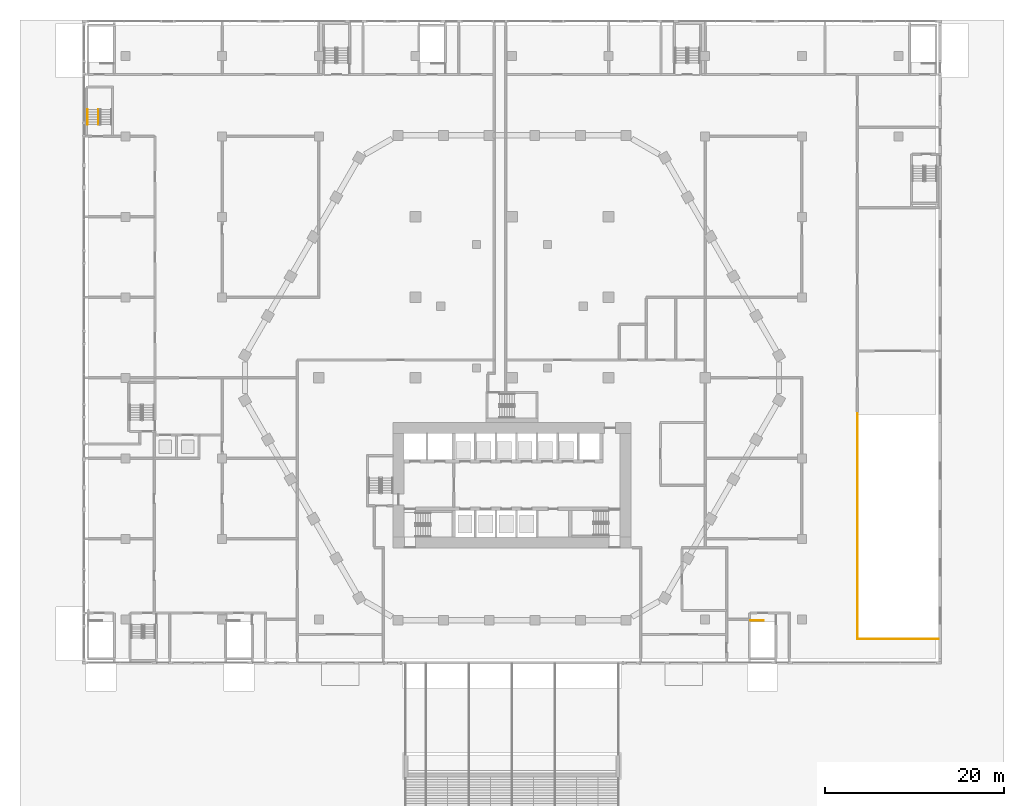
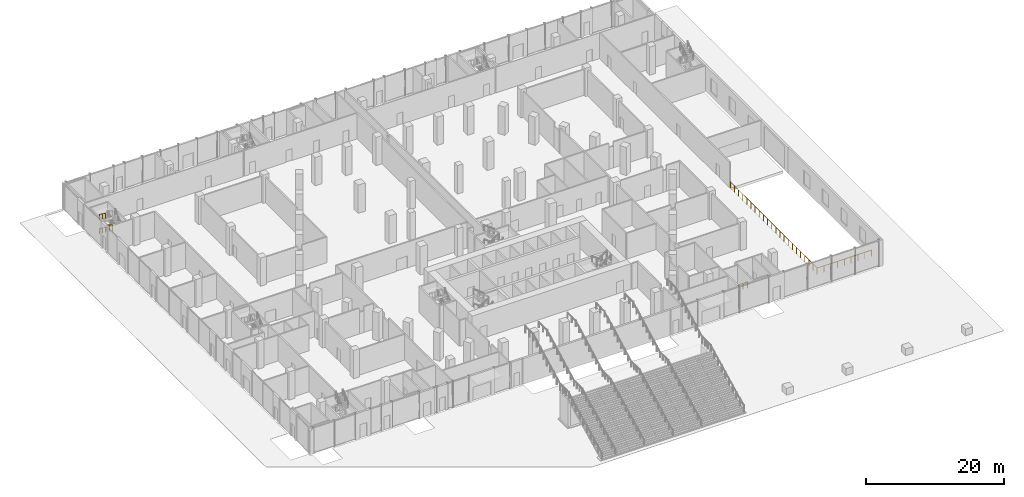
# One storey, part 52 of 57: 5 railings.
"""IFC4 building model written with IfcOpenShell, lengths in metres."""

from ifc_helpers import new_model, si_unit, direction, frame, origin, origin_2d, place, context, subcontext, project, spatial, rectangle, extrude, material, type_object, element, save


model = new_model("IFC4")

# Units and contexts
model_context = context("Model", 3, precision=1e-05, world=origin(), true_north=direction((0.0, 1.0)))
body_context = subcontext(model_context, "Body", "Model", "MODEL_VIEW")
ifc_project = project(units=[si_unit("LENGTHUNIT", "METRE"), si_unit("AREAUNIT", "SQUARE_METRE"), si_unit("VOLUMEUNIT", "CUBIC_METRE"), si_unit("PLANEANGLEUNIT", "RADIAN"), si_unit("MASSUNIT", "GRAM", prefix="KILO")], contexts=[model_context])

# Site, building, storey
site_placement = place(None, origin())
site = spatial("IfcSite", under=ifc_project, at=site_placement, CompositionType="ELEMENT")
building_placement = place(site_placement, origin())
building = spatial("IfcBuilding", under=site, at=building_placement, Name="Beryl Residences", CompositionType="ELEMENT")
storey_placement = place(building_placement, origin())
storey = spatial("IfcBuildingStorey", under=building, at=storey_placement, Name="L00", CompositionType="ELEMENT", Elevation=0.0)

# Railings
ifc_material_1 = material(Name="Stainless steel balustrade with glass infill", Category="steel")
railing_type_1 = type_object("IfcRailingType", Name="EG1 edge guard 1100 mm", PredefinedType="GUARDRAIL", material=ifc_material_1)
railing_1_placement = place(storey_placement, frame((38.60009765625, -4.0, 0.0)))
element("IfcRailing", 1, at=railing_1_placement, inside=storey, type_object=railing_type_1, Name="L00 guard 13", PredefinedType="GUARDRAIL", context=body_context, shape_type="SweptSolid", body=[
    extrude(rectangle(XDim=0.048095703125, YDim=0.048095703125, at=origin_2d()), frame((0.0, 0.0, 1.076171875), z_axis=(0.0, -1.0, 0.0), x_axis=(1.0, 0.0, 0.0)), (0.0, 0.0, 1.0), 25.199951171875),
    extrude(rectangle(XDim=0.048095703125, YDim=0.048095703125, at=origin_2d()), frame((0.0, -25.199951171875, 1.076171875), z_axis=(1.0, 0.0, 0.0), x_axis=(0.0, 1.0, 0.0)), (0.0, 0.0, 1.0), 9.099853515625),
    extrude(rectangle(XDim=0.0419921875, YDim=0.0419921875, at=origin_2d()), origin(), (0.0, 0.0, 1.0), 1.052001953125),
    extrude(rectangle(XDim=0.0419921875, YDim=0.0419921875, at=origin_2d()), frame((0.0, -1.199951171875, 0.0)), (0.0, 0.0, 1.0), 1.052001953125),
    extrude(rectangle(XDim=0.0419921875, YDim=0.0419921875, at=origin_2d()), frame((0.0, -2.39990234375, 0.0)), (0.0, 0.0, 1.0), 1.052001953125),
    extrude(rectangle(XDim=0.0419921875, YDim=0.0419921875, at=origin_2d()), frame((0.0, -3.60009765625, 0.0)), (0.0, 0.0, 1.0), 1.052001953125),
    extrude(rectangle(XDim=0.0419921875, YDim=0.0419921875, at=origin_2d()), frame((0.0, -4.800048828125, 0.0)), (0.0, 0.0, 1.0), 1.052001953125),
    extrude(rectangle(XDim=0.0419921875, YDim=0.0419921875, at=origin_2d()), frame((0.0, -6.0, 0.0)), (0.0, 0.0, 1.0), 1.052001953125),
    extrude(rectangle(XDim=0.0419921875, YDim=0.0419921875, at=origin_2d()), frame((0.0, -7.199951171875, 0.0)), (0.0, 0.0, 1.0), 1.052001953125),
    extrude(rectangle(XDim=0.0419921875, YDim=0.0419921875, at=origin_2d()), frame((0.0, -8.39990234375, 0.0)), (0.0, 0.0, 1.0), 1.052001953125),
    extrude(rectangle(XDim=0.0419921875, YDim=0.0419921875, at=origin_2d()), frame((0.0, -9.60009765625, 0.0)), (0.0, 0.0, 1.0), 1.052001953125),
    extrude(rectangle(XDim=0.0419921875, YDim=0.0419921875, at=origin_2d()), frame((0.0, -10.800048828125, 0.0)), (0.0, 0.0, 1.0), 1.052001953125),
    extrude(rectangle(XDim=0.0419921875, YDim=0.0419921875, at=origin_2d()), frame((0.0, -12.0, 0.0)), (0.0, 0.0, 1.0), 1.052001953125),
    extrude(rectangle(XDim=0.0419921875, YDim=0.0419921875, at=origin_2d()), frame((0.0, -13.199951171875, 0.0)), (0.0, 0.0, 1.0), 1.052001953125),
    extrude(rectangle(XDim=0.0419921875, YDim=0.0419921875, at=origin_2d()), frame((0.0, -14.39990234375, 0.0)), (0.0, 0.0, 1.0), 1.052001953125),
    extrude(rectangle(XDim=0.0419921875, YDim=0.0419921875, at=origin_2d()), frame((0.0, -15.599853515625, 0.0)), (0.0, 0.0, 1.0), 1.052001953125),
    extrude(rectangle(XDim=0.0419921875, YDim=0.0419921875, at=origin_2d()), frame((0.0, -16.800048828125, 0.0)), (0.0, 0.0, 1.0), 1.052001953125),
    extrude(rectangle(XDim=0.0419921875, YDim=0.0419921875, at=origin_2d()), frame((0.0, -18.0, 0.0)), (0.0, 0.0, 1.0), 1.052001953125),
    extrude(rectangle(XDim=0.0419921875, YDim=0.0419921875, at=origin_2d()), frame((0.0, -19.199951171875, 0.0)), (0.0, 0.0, 1.0), 1.052001953125),
    extrude(rectangle(XDim=0.0419921875, YDim=0.0419921875, at=origin_2d()), frame((0.0, -20.39990234375, 0.0)), (0.0, 0.0, 1.0), 1.052001953125),
    extrude(rectangle(XDim=0.0419921875, YDim=0.0419921875, at=origin_2d()), frame((0.0, -21.599853515625, 0.0)), (0.0, 0.0, 1.0), 1.052001953125),
    extrude(rectangle(XDim=0.0419921875, YDim=0.0419921875, at=origin_2d()), frame((0.0, -22.800048828125, 0.0)), (0.0, 0.0, 1.0), 1.052001953125),
    extrude(rectangle(XDim=0.0419921875, YDim=0.0419921875, at=origin_2d()), frame((0.0, -24.0, 0.0)), (0.0, 0.0, 1.0), 1.052001953125),
    extrude(rectangle(XDim=0.0419921875, YDim=0.0419921875, at=origin_2d()), frame((0.0, -25.199951171875, 0.0)), (0.0, 0.0, 1.0), 1.052001953125),
    extrude(rectangle(XDim=0.0419921875, YDim=0.0419921875, at=origin_2d()), frame((1.137451171875, -25.199951171875, 0.0)), (0.0, 0.0, 1.0), 1.052001953125),
    extrude(rectangle(XDim=0.0419921875, YDim=0.0419921875, at=origin_2d()), frame((2.27490234375, -25.199951171875, 0.0)), (0.0, 0.0, 1.0), 1.052001953125),
    extrude(rectangle(XDim=0.0419921875, YDim=0.0419921875, at=origin_2d()), frame((3.412353515625, -25.199951171875, 0.0)), (0.0, 0.0, 1.0), 1.052001953125),
    extrude(rectangle(XDim=0.0419921875, YDim=0.0419921875, at=origin_2d()), frame((4.5498046875, -25.199951171875, 0.0)), (0.0, 0.0, 1.0), 1.052001953125),
    extrude(rectangle(XDim=0.0419921875, YDim=0.0419921875, at=origin_2d()), frame((5.6875, -25.199951171875, 0.0)), (0.0, 0.0, 1.0), 1.052001953125),
    extrude(rectangle(XDim=0.0419921875, YDim=0.0419921875, at=origin_2d()), frame((6.824951171875, -25.199951171875, 0.0)), (0.0, 0.0, 1.0), 1.052001953125),
    extrude(rectangle(XDim=0.0419921875, YDim=0.0419921875, at=origin_2d()), frame((7.96240234375, -25.199951171875, 0.0)), (0.0, 0.0, 1.0), 1.052001953125),
    extrude(rectangle(XDim=0.0419921875, YDim=0.0419921875, at=origin_2d()), frame((9.099853515625, -25.199951171875, 0.0)), (0.0, 0.0, 1.0), 1.052001953125),
])
ifc_material_2 = material(Name="Stainless steel balustrade with glass infill", Category="steel")
railing_type_2 = type_object("IfcRailingType", Name="SG1 stair guard 1100 mm", PredefinedType="GUARDRAIL", material=ifc_material_2)
railing_2_placement = place(storey_placement, frame((26.64990234375, -27.14990234375, 0.0)))
element("IfcRailing", 2, at=railing_2_placement, inside=storey, type_object=railing_type_2, Name="L00 BS-6 top well guard 1", PredefinedType="GUARDRAIL", context=body_context, shape_type="SweptSolid", body=[
    extrude(rectangle(XDim=0.048095703125, YDim=0.048095703125, at=origin_2d()), frame((0.0, 0.0, 1.076171875), z_axis=(1.0, 0.0, 0.0), x_axis=(0.0, 1.0, 0.0)), (0.0, 0.0, 1.0), 1.4501953125),
    extrude(rectangle(XDim=0.0419921875, YDim=0.0419921875, at=origin_2d()), origin(), (0.0, 0.0, 1.0), 1.052001953125),
    extrude(rectangle(XDim=0.0419921875, YDim=0.0419921875, at=origin_2d()), frame((0.72509765625, 0.0, 0.0)), (0.0, 0.0, 1.0), 1.052001953125),
    extrude(rectangle(XDim=0.0419921875, YDim=0.0419921875, at=origin_2d()), frame((1.4501953125, 0.0, 0.0)), (0.0, 0.0, 1.0), 1.052001953125),
])
railing_3_placement = place(storey_placement, frame((-46.25, 29.97998046875, 1.428466796875)))
element("IfcRailing", 3, at=railing_3_placement, inside=storey, type_object=railing_type_2, Name="L00 PS-3 stair guard 3", PredefinedType="GUARDRAIL", context=body_context, shape_type="SweptSolid", body=[
    extrude(rectangle(XDim=0.048095703125, YDim=0.048095703125, at=origin_2d()), frame((0.0, 0.0, 1.076171875), z_axis=(0.0, -0.843095963019, 0.537763142231), x_axis=(1.0, 0.0, 0.0)), (0.0, 0.0, 1.0), 1.99267578125),
    extrude(rectangle(XDim=0.0419921875, YDim=0.0419921875, at=origin_2d()), origin(), (0.0, 0.0, 1.0), 1.052001953125),
    extrude(rectangle(XDim=0.0419921875, YDim=0.0419921875, at=origin_2d()), frame((0.0, -0.83984375, 0.53564453125)), (0.0, 0.0, 1.0), 1.052001953125),
    extrude(rectangle(XDim=0.0419921875, YDim=0.0419921875, at=origin_2d()), frame((0.0, -1.679931640625, 1.071533203125)), (0.0, 0.0, 1.0), 1.052001953125),
])
ifc_material_3 = material(Name="Stainless steel handrail", Category="steel")
railing_type_3 = type_object("IfcRailingType", Name="SRL1 stair handrail 900 mm", PredefinedType="HANDRAIL", material=ifc_material_3)
for number, where, name in (
    (4, (-47.449951171875, 29.97998046875, 1.428466796875), "L00 PS-3 stair handrail 2"),
    (5, (-47.449951171875, 29.97998046875, 3.928466796875), "L00 PS-3 stair handrail 4"),
):
    element("IfcRailing", number, at=place(storey_placement, frame(where)), inside=storey, type_object=railing_type_3, Name=name, PredefinedType="HANDRAIL", context=body_context, shape_type="SweptSolid", body=[
        extrude(rectangle(XDim=0.048095703125, YDim=0.048095703125, at=origin_2d()), frame((0.0, 0.0, 0.8759765625), z_axis=(0.0, -0.802274775538, 0.59695492672), x_axis=(1.0, 0.0, 0.0)), (0.0, 0.0, 1.0), 2.093994140625),
        extrude(rectangle(XDim=0.0419921875, YDim=0.0419921875, at=origin_2d()), origin(), (0.0, 0.0, 1.0), 0.851806640625),
        extrude(rectangle(XDim=0.0419921875, YDim=0.0419921875, at=origin_2d()), frame((0.0, -0.83984375, 0.625)), (0.0, 0.0, 1.0), 0.851806640625),
        extrude(rectangle(XDim=0.0419921875, YDim=0.0419921875, at=origin_2d()), frame((0.0, -1.679931640625, 1.25)), (0.0, 0.0, 1.0), 0.851806640625),
    ])

save(model, "model.ifc")
